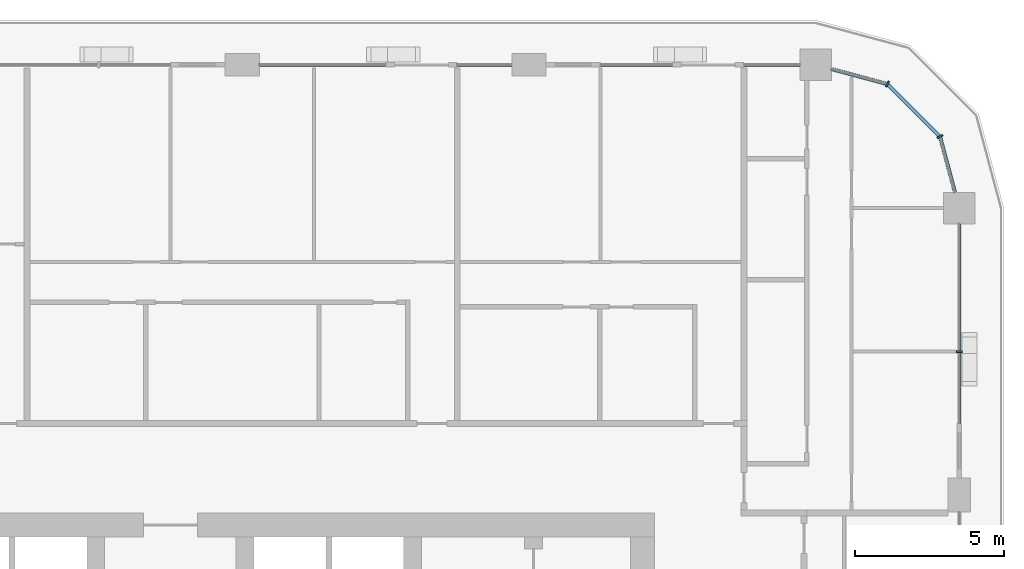
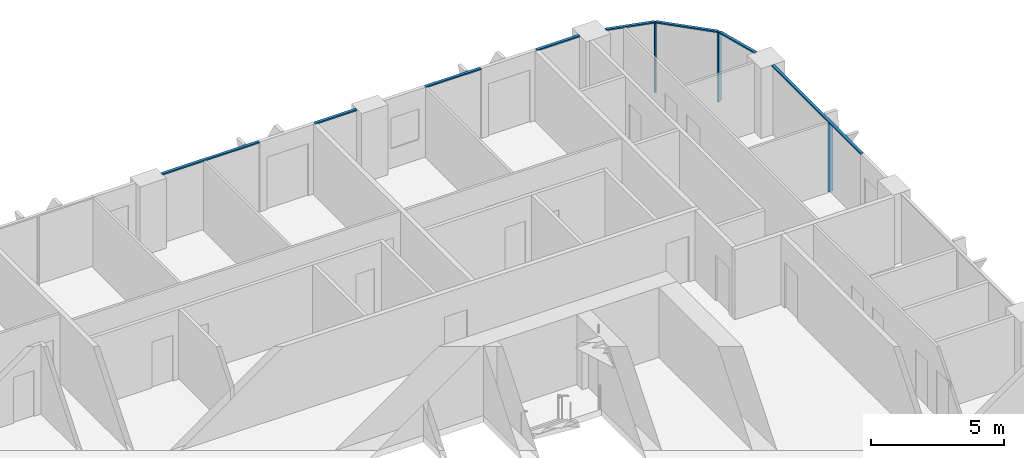
# One storey, part 6 of 22: 11 members, 4 elements without a shape of their own.
"""IFC4 building model written with IfcOpenShell, lengths in metres."""

from ifc_helpers import new_model, si_unit, direction, frame, origin, origin_2d, place, context, subcontext, project, spatial, rectangle, extrude, material, layer, layer_set, material_profile, profile_set, type_object, element, aggregate, save


model = new_model("IFC4")

# Units and contexts
model_context = context("Model", 3, precision=1e-05, world=origin(), true_north=direction((0.0, 1.0)))
body_context = subcontext(model_context, "Body", "Model", "MODEL_VIEW")
ifc_project = project(units=[si_unit("LENGTHUNIT", "METRE"), si_unit("AREAUNIT", "SQUARE_METRE"), si_unit("VOLUMEUNIT", "CUBIC_METRE"), si_unit("PLANEANGLEUNIT", "RADIAN"), si_unit("MASSUNIT", "GRAM", prefix="KILO")], contexts=[model_context])

# Site, building, storey
site_placement = place(None, origin())
site = spatial("IfcSite", under=ifc_project, at=site_placement, CompositionType="ELEMENT")
building_placement = place(site_placement, origin())
building = spatial("IfcBuilding", under=site, at=building_placement, Name="Madar Terraces", CompositionType="ELEMENT")
storey_placement = place(building_placement, frame((0.0, 0.0, 119.10009765625)))
storey = spatial("IfcBuildingStorey", under=building, at=storey_placement, Name="L30", CompositionType="ELEMENT", Elevation=119.10009765625)

# Curtain wall, member
ifc_material_1 = material(Name="Glass, ceramic frit dark grey, with black aluminium frame", Category="aluminium")
ifc_layer = layer(ifc_material_1, 0.199951171875)
ifc_layer_set = layer_set([ifc_layer], Name="Facade curtain wall, fritted glass")
curtain_wall_type = type_object("IfcCurtainWallType", Name="Facade curtain wall, fritted glass", PredefinedType="NOTDEFINED", material=ifc_layer_set)
curtain_wall_1_placement = place(storey_placement, origin())
curtain_wall_1 = element("IfcCurtainWall", 1, at=curtain_wall_1_placement, inside=storey, type_object=curtain_wall_type, Name="Outer skin curtain wall east bay 4", PredefinedType="NOTDEFINED")
ifc_material_2 = material(Name="Aluminium, black anodised", Category="aluminium")
ifc_material_profile_1 = material_profile(ifc_material_2, rectangle(XDim=0.199951171875, YDim=0.06005859375, at=origin_2d()), Name="Facade mullion 60x200")
ifc_profile_set_1 = profile_set([ifc_material_profile_1], Name="Aluminium, black anodised")
member_type_1 = type_object("IfcMemberType", Name="Facade mullion 60x200", PredefinedType="MULLION", material=ifc_profile_set_1)
member_1_placement = place(storey_placement, frame((57.60009765625, 43.199951171875, 0.0), z_axis=(0.0, 0.0, 1.0), x_axis=(-1.0, 0.0, 0.0)))
member_1 = element("IfcMember", 2, at=member_1_placement, type_object=member_type_1, Name="Mullion 1", PredefinedType="MULLION", context=body_context, shape_type="SweptSolid", body=[
    extrude(rectangle(XDim=0.199951171875, YDim=0.06005859375, at=origin_2d()), origin(), (0.0, 0.0, 1.0), 3.139892578125),
])

# Curtain wall, members
curtain_wall_2_placement = place(storey_placement, origin())
curtain_wall_2 = element("IfcCurtainWall", 3, at=curtain_wall_2_placement, inside=storey, type_object=curtain_wall_type, Name="Outer skin curtain wall north-east corner", PredefinedType="NOTDEFINED")
member_2_placement = place(storey_placement, frame((56.95703125, 50.39990234375, 0.0), z_axis=(0.0, 0.0, 1.0), x_axis=(-0.866025409797, -0.499999989586, 0.0)))
member_2 = element("IfcMember", 4, at=member_2_placement, type_object=member_type_1, Name="Mullion 1", PredefinedType="MULLION", context=body_context, shape_type="SweptSolid", body=[
    extrude(rectangle(XDim=0.199951171875, YDim=0.06005859375, at=origin_2d()), origin(), (0.0, 0.0, 1.0), 3.139892578125),
])
member_3_placement = place(storey_placement, frame((55.199951171875, 52.156982421875, 0.0), z_axis=(0.0, 0.0, 1.0), x_axis=(-0.499999989586, -0.866025409797, 0.0)))
member_3 = element("IfcMember", 5, at=member_3_placement, type_object=member_type_1, Name="Mullion 2", PredefinedType="MULLION", context=body_context, shape_type="SweptSolid", body=[
    extrude(rectangle(XDim=0.199951171875, YDim=0.06005859375, at=origin_2d()), origin(), (0.0, 0.0, 1.0), 3.139892578125),
])

# Member
ifc_material_3 = material(Name="Aluminium, black anodised", Category="aluminium")
ifc_material_profile_2 = material_profile(ifc_material_3, rectangle(XDim=0.1201171875, YDim=0.06005859375, at=origin_2d()), Name="Facade transom 60x120")
ifc_profile_set_2 = profile_set([ifc_material_profile_2], Name="Aluminium, black anodised")
member_type_2 = type_object("IfcMemberType", Name="Facade transom 60x120", PredefinedType="USERDEFINED", material=ifc_profile_set_2)
member_4_placement = place(storey_placement, frame((57.60009765625, 40.800048828125, 3.169921875), z_axis=(0.0, 1.0, 0.0), x_axis=(-1.0, 0.0, 0.0)))
member_4 = element("IfcMember", 6, at=member_4_placement, type_object=member_type_2, Name="Transom 1", ObjectType="TRANSOM", PredefinedType="USERDEFINED", context=body_context, shape_type="SweptSolid", body=[
    extrude(rectangle(XDim=0.1201171875, YDim=0.06005859375, at=origin_2d()), origin(), (0.0, 0.0, 1.0), 6.675048828125),
])

aggregate(curtain_wall_1, [member_1, member_4])

# Curtain wall, members
curtain_wall_3_placement = place(storey_placement, origin())
curtain_wall_3 = element("IfcCurtainWall", 7, at=curtain_wall_3_placement, inside=storey, type_object=curtain_wall_type, Name="Outer skin curtain wall north bay 1", PredefinedType="NOTDEFINED")
member_5_placement = place(storey_placement, frame((52.27490234375, 52.800048828125, 3.169921875), z_axis=(-1.0, 0.0, 0.0), x_axis=(0.0, -1.0, 0.0)))
member_5 = element("IfcMember", 8, at=member_5_placement, type_object=member_type_2, Name="Transom 1", ObjectType="TRANSOM", PredefinedType="USERDEFINED", context=body_context, shape_type="SweptSolid", body=[
    extrude(rectangle(XDim=0.1201171875, YDim=0.06005859375, at=origin_2d()), origin(), (0.0, 0.0, 1.0), 1.875),
])
member_6_placement = place(storey_placement, frame((48.0, 52.800048828125, 3.169921875), z_axis=(-1.0, 0.0, 0.0), x_axis=(0.0, -1.0, 0.0)))
member_6 = element("IfcMember", 9, at=member_6_placement, type_object=member_type_2, Name="Transom 2", ObjectType="TRANSOM", PredefinedType="USERDEFINED", context=body_context, shape_type="SweptSolid", body=[
    extrude(rectangle(XDim=0.1201171875, YDim=0.06005859375, at=origin_2d()), origin(), (0.0, 0.0, 1.0), 2.39990234375),
])
aggregate(curtain_wall_3, [member_5, member_6])

curtain_wall_4_placement = place(storey_placement, origin())
curtain_wall_4 = element("IfcCurtainWall", 10, at=curtain_wall_4_placement, inside=storey, type_object=curtain_wall_type, Name="Outer skin curtain wall north bay 2", PredefinedType="NOTDEFINED")
member_7_placement = place(storey_placement, frame((42.625, 52.800048828125, 3.169921875), z_axis=(-1.0, 0.0, 0.0), x_axis=(0.0, -1.0, 0.0)))
member_7 = element("IfcMember", 11, at=member_7_placement, type_object=member_type_2, Name="Transom 1", ObjectType="TRANSOM", PredefinedType="USERDEFINED", context=body_context, shape_type="SweptSolid", body=[
    extrude(rectangle(XDim=0.1201171875, YDim=0.06005859375, at=origin_2d()), origin(), (0.0, 0.0, 1.0), 1.824951171875),
])
member_8_placement = place(storey_placement, frame((38.39990234375, 52.800048828125, 3.169921875), z_axis=(-1.0, 0.0, 0.0), x_axis=(0.0, -1.0, 0.0)))
member_8 = element("IfcMember", 12, at=member_8_placement, type_object=member_type_2, Name="Transom 2", ObjectType="TRANSOM", PredefinedType="USERDEFINED", context=body_context, shape_type="SweptSolid", body=[
    extrude(rectangle(XDim=0.1201171875, YDim=0.06005859375, at=origin_2d()), origin(), (0.0, 0.0, 1.0), 4.224853515625),
])
aggregate(curtain_wall_4, [member_7, member_8])

# Member
member_9_placement = place(storey_placement, frame((57.459228515625, 48.52490234375, 3.169921875), z_axis=(-0.25879142023, 0.965933227928, 0.0), x_axis=(-0.965933227928, -0.25879142023, 0.0)))
member_9 = element("IfcMember", 13, at=member_9_placement, type_object=member_type_2, Name="Transom 1", ObjectType="TRANSOM", PredefinedType="USERDEFINED", context=body_context, shape_type="SweptSolid", body=[
    extrude(rectangle(XDim=0.1201171875, YDim=0.06005859375, at=origin_2d()), origin(), (0.0, 0.0, 1.0), 1.911376953125),
])

member_10_placement = place(storey_placement, frame((56.935791015625, 50.421142578125, 3.169921875), z_axis=(-0.707106781187, 0.707106781187, 0.0), x_axis=(-0.707106781187, -0.707106781187, 0.0)))
member_10 = element("IfcMember", 14, at=member_10_placement, type_object=member_type_2, Name="Transom 2", ObjectType="TRANSOM", PredefinedType="USERDEFINED", context=body_context, shape_type="SweptSolid", body=[
    extrude(rectangle(XDim=0.1201171875, YDim=0.06005859375, at=origin_2d()), origin(), (0.0, 0.0, 1.0), 2.4248046875),
])

member_11_placement = place(storey_placement, frame((55.171142578125, 52.164794921875, 3.169921875), z_axis=(-0.965933227928, 0.25879142023, 0.0), x_axis=(-0.25879142023, -0.965933227928, 0.0)))
member_11 = element("IfcMember", 15, at=member_11_placement, type_object=member_type_2, Name="Transom 3", ObjectType="TRANSOM", PredefinedType="USERDEFINED", context=body_context, shape_type="SweptSolid", body=[
    extrude(rectangle(XDim=0.1201171875, YDim=0.06005859375, at=origin_2d()), origin(), (0.0, 0.0, 1.0), 1.911376953125),
])

aggregate(curtain_wall_2, [member_2, member_9, member_3, member_10, member_11])

save(model, "model.ifc")
